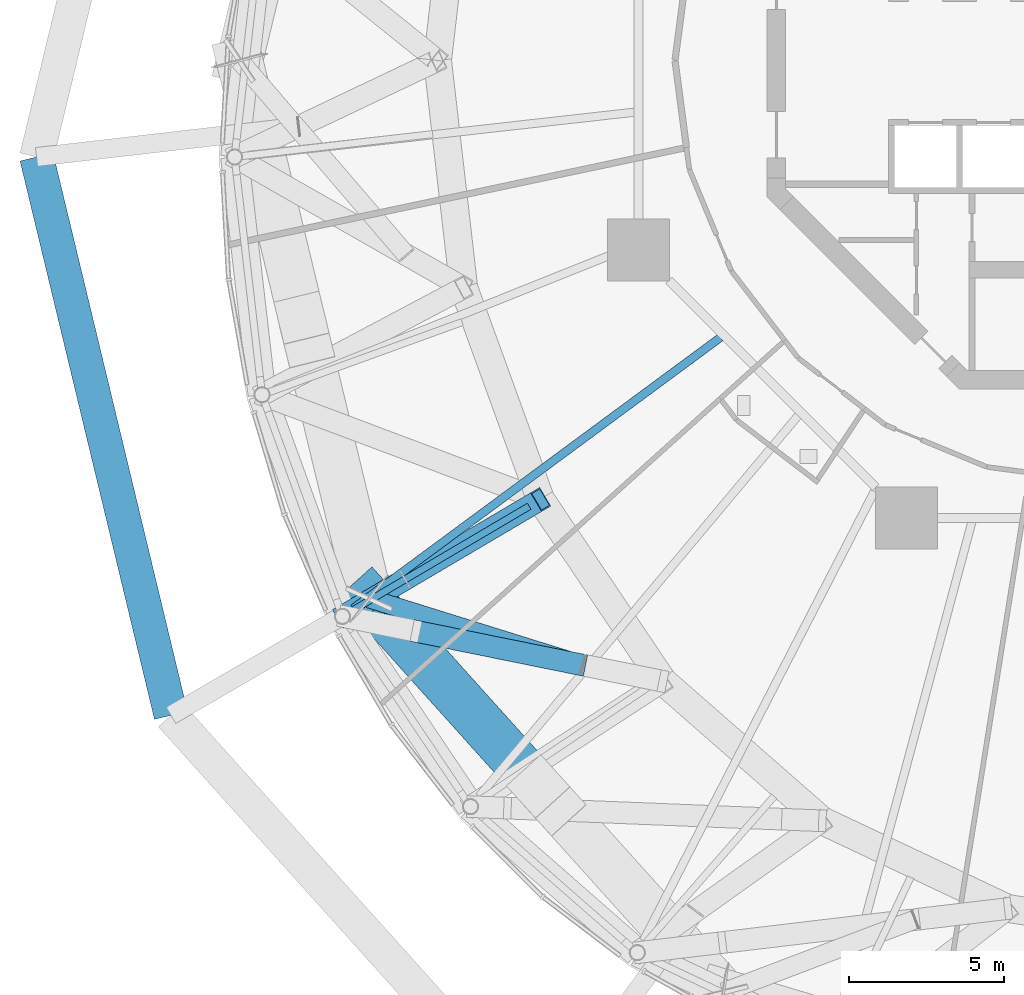
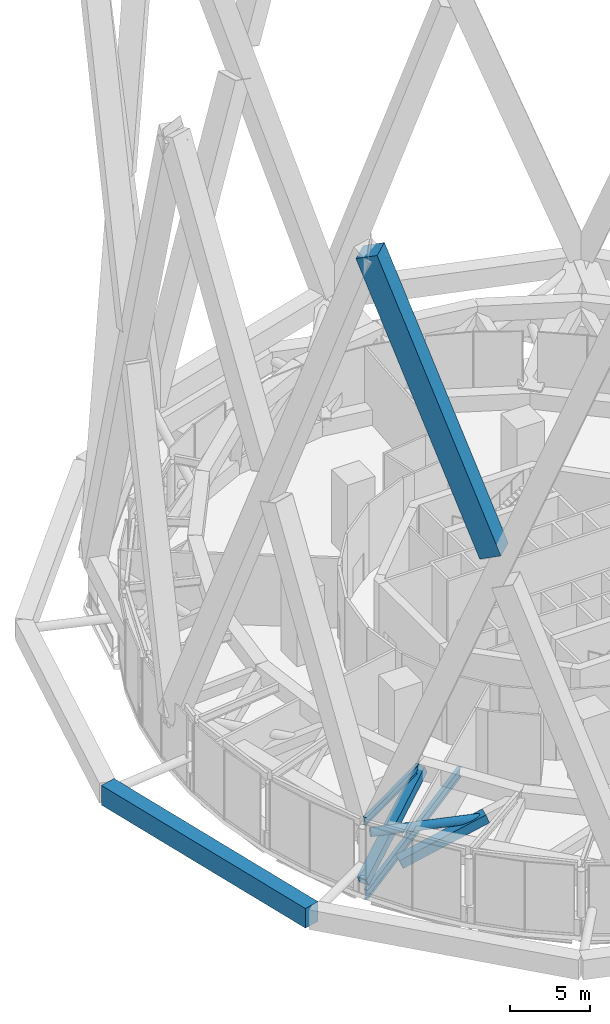
# One storey, part 9 of 49: 4 beams, 3 members.
"""IFC4 building model written with IfcOpenShell, lengths in metres."""

from ifc_helpers import new_model, si_unit, direction, frame, origin, origin_2d, place, context, subcontext, project, spatial, rectangle, hollow_rectangle, hollow_circle, i_section, extrude, material, material_profile, profile_set, type_object, element, save


model = new_model("IFC4")

# Units and contexts
model_context = context("Model", 3, precision=1e-05, world=origin(), true_north=direction((0.0, 1.0)))
body_context = subcontext(model_context, "Body", "Model", "MODEL_VIEW")
ifc_project = project(units=[si_unit("LENGTHUNIT", "METRE"), si_unit("AREAUNIT", "SQUARE_METRE"), si_unit("VOLUMEUNIT", "CUBIC_METRE"), si_unit("PLANEANGLEUNIT", "RADIAN"), si_unit("MASSUNIT", "GRAM", prefix="KILO")], contexts=[model_context])

# Site, building, storey
site_placement = place(None, origin())
site = spatial("IfcSite", under=ifc_project, at=site_placement, CompositionType="ELEMENT")
building_placement = place(site_placement, origin())
building = spatial("IfcBuilding", under=site, at=building_placement, Name="Nagisa Residences", CompositionType="ELEMENT")
storey_placement = place(building_placement, frame((0.0, 0.0, 160.300048828125)))
storey = spatial("IfcBuildingStorey", under=building, at=storey_placement, Name="L40", CompositionType="ELEMENT", Elevation=160.300048828125)

# Beams
ifc_material_1 = material(Name="Steel ASTM A572 Gr 50", Category="steel")
ifc_material_profile_1 = material_profile(ifc_material_1, hollow_rectangle(XDim=0.699951171875, YDim=0.699951171875, WallThickness=0.0400390625, at=origin_2d()), Name="BX 700x700x40")
ifc_profile_set_1 = profile_set([ifc_material_profile_1], Name="Steel ASTM A572 Gr 50")
beam_type_1 = type_object("IfcBeamType", Name="Belt diagonal 3 BX 700x700x40", PredefinedType="BEAM", material=ifc_profile_set_1)
beam_1_placement = place(storey_placement, frame((-24.346923828125, -17.965087890625, 0.599853515625), z_axis=(0.752543524367, 0.44387244892, 0.48647249976), x_axis=(-0.508039987777, 0.861333484093, 0.0)))
element("IfcBeam", 1, at=beam_1_placement, inside=storey, type_object=beam_type_1, Name="beam:L40:bt3da15", PredefinedType="BEAM", context=body_context, shape_type="SweptSolid", body=[
    extrude(hollow_rectangle(XDim=0.699951171875, YDim=0.699951171875, WallThickness=0.0400390625, at=origin_2d()), origin(), (0.0, 0.0, 1.0), 8.510498046875),
])
beam_2_placement = place(storey_placement, frame((-21.97021484375, -18.44677734375, 1.550048828125), z_axis=(0.912556855181, -0.184936375095, 0.364744462918), x_axis=(0.198619754512, 0.980076626146, 0.0)))
element("IfcBeam", 2, at=beam_2_placement, inside=storey, type_object=beam_type_1, Name="beam:L40:bt3db15", PredefinedType="BEAM", context=body_context, shape_type="SweptSolid", body=[
    extrude(hollow_rectangle(XDim=0.699951171875, YDim=0.699951171875, WallThickness=0.0400390625, at=origin_2d()), origin(), (0.0, 0.0, 1.0), 6.141357421875),
])

# Members
ifc_material_2 = material(Name="Concrete C80", Category="concrete")
ifc_material_profile_2 = material_profile(ifc_material_2, rectangle(XDim=1.5, YDim=1.5, at=origin_2d()), Name="C80 1500x1500")
ifc_profile_set_2 = profile_set([ifc_material_profile_2], Name="Concrete C80")
member_type_1 = type_object("IfcMemberType", Name="Cage diagonal 4 C80 1500x1500", PredefinedType="BRACE", material=ifc_profile_set_2)
member_1_placement = place(storey_placement, frame((-18.025146484375, -23.458251953125, 26.975830078125), z_axis=(-0.240088711993, 0.266960868955, 0.933321651319), x_axis=(-0.743537936889, -0.668693753827, 0.0)))
element("IfcMember", 3, at=member_1_placement, inside=storey, type_object=member_type_1, Name="mem:L40:cg4d016b", PredefinedType="BRACE", context=body_context, shape_type="SweptSolid", body=[
    extrude(rectangle(XDim=1.5, YDim=1.5, at=origin_2d()), origin(), (0.0, 0.0, 1.0), 22.740478515625),
])
ifc_material_3 = material(Name="Concrete C80", Category="concrete")
ifc_material_profile_3 = material_profile(ifc_material_3, rectangle(XDim=1.10009765625, YDim=1.5, at=origin_2d()), Name="C80 1100x1500")
ifc_profile_set_3 = profile_set([ifc_material_profile_3], Name="Concrete C80")
member_type_2 = type_object("IfcMemberType", Name="Cage ring 3 C80 1100x1500", PredefinedType="CHORD", material=ifc_profile_set_3)
member_2_placement = place(storey_placement, frame((-34.235107421875, -3.11767578125, 1.89990234375), z_axis=(0.234087679097, -0.972215489742, 0.0), x_axis=(0.972215489742, 0.234087679097, 0.0)))
element("IfcMember", 4, at=member_2_placement, inside=storey, type_object=member_type_2, Name="beam:L40:cg3r107", PredefinedType="CHORD", context=body_context, shape_type="SweptSolid", body=[
    extrude(rectangle(XDim=1.10009765625, YDim=1.5, at=origin_2d()), origin(), (0.0, 0.0, 1.0), 18.5634765625),
])
ifc_material_4 = material(Name="Steel ASTM A572 Gr 65", Category="steel")
ifc_material_profile_4 = material_profile(ifc_material_4, hollow_circle(Radius=0.304931640625, WallThickness=0.02490234375, at=origin_2d()), Name="CHS 610x25")
ifc_profile_set_4 = profile_set([ifc_material_profile_4], Name="Steel ASTM A572 Gr 65")
member_type_3 = type_object("IfcMemberType", Name="Cage strut CHS 610x25", PredefinedType="STRUT", material=ifc_profile_set_4)
member_3_placement = place(storey_placement, frame((-23.48486328125, -17.387451171875, 3.699951171875), z_axis=(0.954669892355, -0.297666586354, 0.0), x_axis=(0.297666586354, 0.954669892355, 0.0)))
element("IfcMember", 5, at=member_3_placement, inside=storey, type_object=member_type_3, Name="mem:L40:bt3st4b08", PredefinedType="STRUT", context=body_context, shape_type="SweptSolid", body=[
    extrude(hollow_circle(Radius=0.304931640625, WallThickness=0.02490234375, at=origin_2d()), origin(), (0.0, 0.0, 1.0), 7.220947265625),
])

# Beams
ifc_material_5 = material(Name="Steel ASTM A572 Gr 50", Category="steel")
ifc_material_profile_5 = material_profile(ifc_material_5, i_section(OverallWidth=0.22802734375, OverallDepth=0.60302734375, WebThickness=0.010498046875, FlangeThickness=0.014892578125, at=origin_2d()), Name="W610x101")
ifc_profile_set_5 = profile_set([ifc_material_profile_5], Name="Steel ASTM A572 Gr 50")
beam_type_2 = type_object("IfcBeamType", Name="Garden radial beam W610x101", PredefinedType="BEAM", material=ifc_profile_set_5)
beam_3_placement = place(storey_placement, frame((-24.1455078125, -17.84619140625, 5.038330078125), z_axis=(0.861343250664, 0.50802342912, 0.0), x_axis=(-0.50802342912, 0.861343250664, 0.0)))
element("IfcBeam", 6, at=beam_3_placement, inside=storey, type_object=beam_type_2, Name="beam:L40:bt3gr15", PredefinedType="BEAM", context=body_context, shape_type="SweptSolid", body=[
    extrude(i_section(OverallWidth=0.22802734375, OverallDepth=0.60302734375, WebThickness=0.010498046875, FlangeThickness=0.014892578125, at=origin_2d()), origin(), (0.0, 0.0, 1.0), 6.771728515625),
])
ifc_material_6 = material(Name="Steel ASTM A572 Gr 50", Category="steel")
ifc_material_profile_6 = material_profile(ifc_material_6, i_section(OverallWidth=0.264892578125, OverallDepth=0.7529296875, WebThickness=0.01318359375, FlangeThickness=0.01708984375, at=origin_2d()), Name="W760x147")
ifc_profile_set_6 = profile_set([ifc_material_profile_6], Name="Steel ASTM A572 Gr 50")
beam_type_3 = type_object("IfcBeamType", Name="Radial beam W760x147", PredefinedType="BEAM", material=ifc_profile_set_6)
beam_4_placement = place(storey_placement, frame((-23.995849609375, -17.7060546875, -0.7265625), z_axis=(0.804659026956, 0.59373718962, 0.0), x_axis=(-0.59373718962, 0.804659026956, 0.0)))
element("IfcBeam", 7, at=beam_4_placement, inside=storey, type_object=beam_type_3, Name="beam:L40:rb15", PredefinedType="BEAM", context=body_context, shape_type="SweptSolid", body=[
    extrude(i_section(OverallWidth=0.264892578125, OverallDepth=0.7529296875, WebThickness=0.01318359375, FlangeThickness=0.01708984375, at=origin_2d()), origin(), (0.0, 0.0, 1.0), 14.744140625),
])

save(model, "model.ifc")
